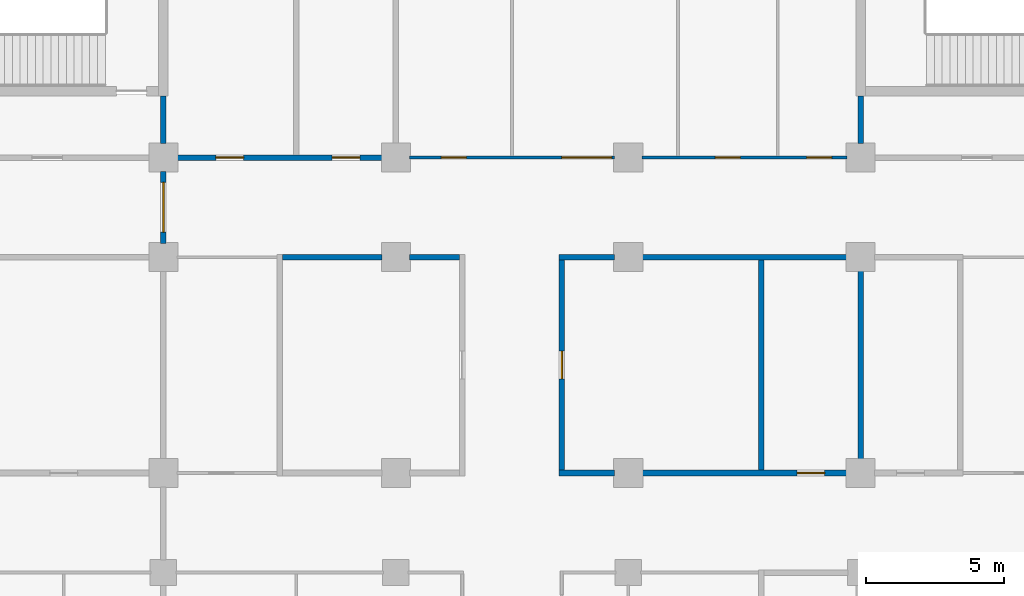
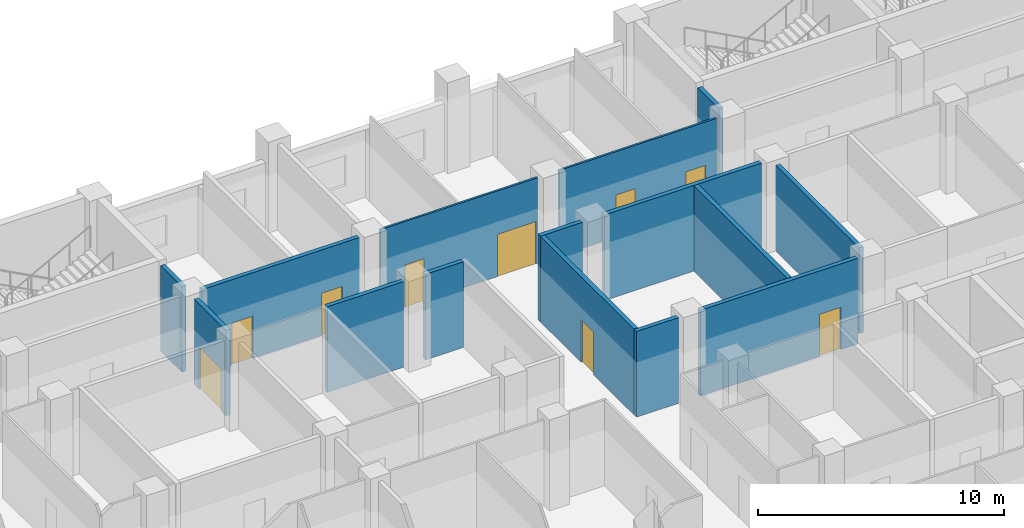
# One storey, part 75 of 136: 15 walls, 9 doors, 9 openings.
"""IFC4 building model written with IfcOpenShell, lengths in metres."""

from ifc_helpers import new_model, si_unit, direction, frame, frame_2d, origin, place, context, subcontext, project, spatial, rectangle, extrude, material, layer, layer_set, type_object, element, fill, save


model = new_model("IFC4")

# Units and contexts
model_context = context("Model", 3, precision=1e-05, world=origin(), true_north=direction((0.0, 1.0)))
body_context = subcontext(model_context, "Body", "Model", "MODEL_VIEW")
ifc_project = project(units=[si_unit("LENGTHUNIT", "METRE"), si_unit("AREAUNIT", "SQUARE_METRE"), si_unit("VOLUMEUNIT", "CUBIC_METRE"), si_unit("PLANEANGLEUNIT", "RADIAN"), si_unit("MASSUNIT", "GRAM", prefix="KILO")], contexts=[model_context])

# Site, building, storey
site_placement = place(None, origin())
site = spatial("IfcSite", under=ifc_project, at=site_placement, CompositionType="ELEMENT")
building_placement = place(site_placement, origin())
building = spatial("IfcBuilding", under=site, at=building_placement, Name="Bougainvillea Quay General Hospital", CompositionType="ELEMENT")
storey_placement = place(building_placement, frame((0.0, 0.0, 5.39990234375)))
storey = spatial("IfcBuildingStorey", under=building, at=storey_placement, Name="L01", CompositionType="ELEMENT", Elevation=5.39990234375)

# Wall, openings, doors
ifc_material_1 = material(Name="Gypsum board partition on steel studs", Category="steel")
ifc_layer_1 = layer(ifc_material_1, 0.10009765625)
ifc_layer_set_1 = layer_set([ifc_layer_1], Name="Gypsum board partition on steel studs")
wall_type_1 = type_object("IfcWallType", Name="Partition 100 Gypsum board partition", PredefinedType="PARTITIONING", material=ifc_layer_set_1)
wall_1_placement = place(storey_placement, frame((133.89990234375, 151.800048828125, 0.0), z_axis=(0.0, 0.0, 1.0), x_axis=(-1.0, 0.0, 0.0)))
wall_1 = element("IfcWall", 1, at=wall_1_placement, inside=storey, type_object=wall_type_1, Name="Partition 100 mm", PredefinedType="PARTITIONING", context=body_context, shape_type="SweptSolid", body=[
    extrude(rectangle(XDim=7.39990234375, YDim=0.10009765625, at=frame_2d((3.699951171875, 0.0))), origin(), (0.0, 0.0, 1.0), 4.25),
])
opening_1_placement = place(wall_1_placement, frame((3.85009765625, 0.0, 0.0)))
opening_1 = element("IfcOpeningElement", 2, at=opening_1_placement, cuts=wall_1, Name="Opening L01.203", PredefinedType="OPENING", context=body_context, shape_type="SweptSolid", body=[
    extrude(rectangle(XDim=0.89990234375, YDim=2.10009765625, at=frame_2d((0.449951171875, 1.050048828125))), frame((0.0, 0.06005859375, 0.0), z_axis=(0.0, -1.0, 0.0), x_axis=(1.0, 0.0, 0.0)), (0.0, 0.0, 1.0), 0.1201171875),
])
opening_2_placement = place(wall_1_placement, frame((0.550048828125, 0.0, 0.0)))
opening_2 = element("IfcOpeningElement", 3, at=opening_2_placement, cuts=wall_1, Name="Opening L01.204", PredefinedType="OPENING", context=body_context, shape_type="SweptSolid", body=[
    extrude(rectangle(XDim=0.89990234375, YDim=2.10009765625, at=frame_2d((0.449951171875, 1.050048828125))), frame((0.0, 0.06005859375, 0.0), z_axis=(0.0, -1.0, 0.0), x_axis=(1.0, 0.0, 0.0)), (0.0, 0.0, 1.0), 0.1201171875),
])
ifc_material_2 = material(Name="Solid-core timber door leaf in steel frame", Category="steel")
door_type_1 = type_object("IfcDoorType", Name="Single leaf door 900x2100", OperationType="NOTDEFINED", PredefinedType="DOOR", material=ifc_material_2)
door_1_placement = place(opening_1_placement, frame((0.89990234375, 0.0, 0.0), z_axis=(0.0, 0.0, 1.0), x_axis=(-1.0, 0.0, 0.0)))
door_1 = element("IfcDoor", 4, at=door_1_placement, inside=storey, type_object=door_type_1, Name="DT07 L01.203", OperationType="SINGLE_SWING_LEFT", OverallHeight=2.10009765625, OverallWidth=0.89990234375, PredefinedType="DOOR", context=body_context, shape_type="SweptSolid", body=[
    extrude(rectangle(XDim=0.89990234375, YDim=2.10009765625, at=frame_2d((0.449951171875, 1.050048828125))), frame((0.0, 0.02490234375, 0.0), z_axis=(0.0, -1.0, 0.0), x_axis=(1.0, 0.0, 0.0)), (0.0, 0.0, 1.0), 0.050048828125),
])
fill(opening_1, door_1)
door_2_placement = place(opening_2_placement, frame((0.89990234375, 0.0, 0.0), z_axis=(0.0, 0.0, 1.0), x_axis=(-1.0, 0.0, 0.0)))
door_2 = element("IfcDoor", 5, at=door_2_placement, inside=storey, type_object=door_type_1, Name="DT07 L01.204", OperationType="SINGLE_SWING_RIGHT", OverallHeight=2.10009765625, OverallWidth=0.89990234375, PredefinedType="DOOR", context=body_context, shape_type="SweptSolid", body=[
    extrude(rectangle(XDim=0.89990234375, YDim=2.10009765625, at=frame_2d((0.449951171875, 1.050048828125))), frame((0.0, 0.02490234375, 0.0), z_axis=(0.0, -1.0, 0.0), x_axis=(1.0, 0.0, 0.0)), (0.0, 0.0, 1.0), 0.050048828125),
])
fill(opening_2, door_2)

wall_2_placement = place(storey_placement, frame((125.5, 151.800048828125, 0.0), z_axis=(0.0, 0.0, 1.0), x_axis=(-1.0, 0.0, 0.0)))
wall_2 = element("IfcWall", 6, at=wall_2_placement, inside=storey, type_object=wall_type_1, Name="Partition 100 mm", PredefinedType="PARTITIONING", context=body_context, shape_type="SweptSolid", body=[
    extrude(rectangle(XDim=7.39990234375, YDim=0.10009765625, at=frame_2d((3.699951171875, 0.0))), origin(), (0.0, 0.0, 1.0), 4.25),
])
opening_3_placement = place(wall_2_placement, frame((5.35009765625, 0.0, 0.0)))
opening_3 = element("IfcOpeningElement", 7, at=opening_3_placement, cuts=wall_2, Name="Opening L01.201", PredefinedType="OPENING", context=body_context, shape_type="SweptSolid", body=[
    extrude(rectangle(XDim=0.89990234375, YDim=2.10009765625, at=frame_2d((0.449951171875, 1.050048828125))), frame((0.0, 0.06005859375, 0.0), z_axis=(0.0, -1.0, 0.0), x_axis=(1.0, 0.0, 0.0)), (0.0, 0.0, 1.0), 0.1201171875),
])
opening_4_placement = place(wall_2_placement, frame((0.10009765625, 0.0, 0.0)))
opening_4 = element("IfcOpeningElement", 8, at=opening_4_placement, cuts=wall_2, Name="Opening L01.202", PredefinedType="OPENING", context=body_context, shape_type="SweptSolid", body=[
    extrude(rectangle(XDim=1.800048828125, YDim=2.10009765625, at=frame_2d((0.89990234375, 1.050048828125))), frame((0.0, 0.06005859375, 0.0), z_axis=(0.0, -1.0, 0.0), x_axis=(1.0, 0.0, 0.0)), (0.0, 0.0, 1.0), 0.1201171875),
])
ifc_material_3 = material(Name="Solid-core timber door leaves in steel frame", Category="steel")
door_type_2 = type_object("IfcDoorType", Name="Double leaf door 1800x2100", OperationType="DOUBLE_DOOR_SINGLE_SWING", PredefinedType="DOOR", material=ifc_material_3)
door_3_placement = place(opening_4_placement, frame((1.800048828125, 0.0, 0.0), z_axis=(0.0, 0.0, 1.0), x_axis=(-1.0, 0.0, 0.0)))
door_3 = element("IfcDoor", 9, at=door_3_placement, inside=storey, type_object=door_type_2, Name="DT08 L01.202", OperationType="DOUBLE_DOOR_SINGLE_SWING", OverallHeight=2.10009765625, OverallWidth=1.800048828125, PredefinedType="DOOR", context=body_context, shape_type="SweptSolid", body=[
    extrude(rectangle(XDim=1.800048828125, YDim=2.10009765625, at=frame_2d((0.89990234375, 1.050048828125))), frame((0.0, 0.02490234375, 0.0), z_axis=(0.0, -1.0, 0.0), x_axis=(1.0, 0.0, 0.0)), (0.0, 0.0, 1.0), 0.050048828125),
])
fill(opening_4, door_3)
door_4_placement = place(opening_3_placement, frame((0.89990234375, 0.0, 0.0), z_axis=(0.0, 0.0, 1.0), x_axis=(-1.0, 0.0, 0.0)))
door_4 = element("IfcDoor", 10, at=door_4_placement, inside=storey, type_object=door_type_1, Name="DT07 L01.201", OperationType="SINGLE_SWING_LEFT", OverallHeight=2.10009765625, OverallWidth=0.89990234375, PredefinedType="DOOR", context=body_context, shape_type="SweptSolid", body=[
    extrude(rectangle(XDim=0.89990234375, YDim=2.10009765625, at=frame_2d((0.449951171875, 1.050048828125))), frame((0.0, 0.02490234375, 0.0), z_axis=(0.0, -1.0, 0.0), x_axis=(1.0, 0.0, 0.0)), (0.0, 0.0, 1.0), 0.050048828125),
])
fill(opening_3, door_4)

# Wall
ifc_material_4 = material(Name="Fire-rated autoclaved aerated block wall, plastered")
ifc_layer_2 = layer(ifc_material_4, 0.199951171875)
ifc_layer_set_2 = layer_set([ifc_layer_2], Name="Fire-rated autoclaved aerated block wall, plastered")
wall_type_2 = type_object("IfcWallType", Name="Partition 200 Fire-rated autoclaved aerated block wall EI 120", PredefinedType="SOLIDWALL", material=ifc_layer_set_2)
wall_3_placement = place(storey_placement, frame((109.199951171875, 154.02490234375, 0.0), z_axis=(0.0, 0.0, 1.0), x_axis=(0.0, -1.0, 0.0)))
element("IfcWall", 11, at=wall_3_placement, inside=storey, type_object=wall_type_2, Name="Partition 200 mm EI 120", PredefinedType="SOLIDWALL", context=body_context, shape_type="SweptSolid", body=[
    extrude(rectangle(XDim=1.724853515625, YDim=0.199951171875, at=frame_2d((0.8623046875, 0.0))), origin(), (0.0, 0.0, 1.0), 4.25),
])

# Wall, opening, door
wall_4_placement = place(storey_placement, frame((109.199951171875, 151.300048828125, 0.0), z_axis=(0.0, 0.0, 1.0), x_axis=(0.0, -1.0, 0.0)))
wall_4 = element("IfcWall", 12, at=wall_4_placement, inside=storey, type_object=wall_type_2, Name="Partition 200 mm EI 120", PredefinedType="SOLIDWALL", context=body_context, shape_type="SweptSolid", body=[
    extrude(rectangle(XDim=2.60009765625, YDim=0.199951171875, at=frame_2d((1.300048828125, 0.0))), origin(), (0.0, 0.0, 1.0), 4.25),
])
opening_5_placement = place(wall_4_placement, frame((0.39990234375, 0.0, 0.0)))
opening_5 = element("IfcOpeningElement", 13, at=opening_5_placement, cuts=wall_4, Name="Opening L01.016", PredefinedType="OPENING", context=body_context, shape_type="SweptSolid", body=[
    extrude(rectangle(XDim=1.800048828125, YDim=2.10009765625, at=frame_2d((0.89990234375, 1.050048828125))), frame((0.0, 0.10986328125, 0.0), z_axis=(0.0, -1.0, 0.0), x_axis=(1.0, 0.0, 0.0)), (0.0, 0.0, 1.0), 0.219970703125),
])
ifc_material_5 = material(Name="Steel fire door leaves in steel frame", Category="steel")
door_type_3 = type_object("IfcDoorType", Name="Steel double leaf door 1800x2100 FD90", OperationType="DOUBLE_DOOR_SINGLE_SWING", PredefinedType="DOOR", material=ifc_material_5)
door_5_placement = place(opening_5_placement, frame((1.800048828125, 0.0, 0.0), z_axis=(0.0, 0.0, 1.0), x_axis=(-1.0, 0.0, 0.0)))
door_5 = element("IfcDoor", 14, at=door_5_placement, inside=storey, type_object=door_type_3, Name="DT03 L01.016", OperationType="DOUBLE_DOOR_SINGLE_SWING", OverallHeight=2.10009765625, OverallWidth=1.800048828125, PredefinedType="DOOR", context=body_context, shape_type="SweptSolid", body=[
    extrude(rectangle(XDim=1.800048828125, YDim=2.10009765625, at=frame_2d((0.89990234375, 1.050048828125))), frame((0.0, 0.02490234375, 0.0), z_axis=(0.0, -1.0, 0.0), x_axis=(1.0, 0.0, 0.0)), (0.0, 0.0, 1.0), 0.050048828125),
])
fill(opening_5, door_5)

# Wall
wall_5_placement = place(storey_placement, frame((134.39990234375, 152.300048828125, 0.0), z_axis=(0.0, 0.0, 1.0), x_axis=(0.0, 1.0, 0.0)))
element("IfcWall", 15, at=wall_5_placement, inside=storey, type_object=wall_type_2, Name="Partition 200 mm EI 120", PredefinedType="SOLIDWALL", context=body_context, shape_type="SweptSolid", body=[
    extrude(rectangle(XDim=1.724853515625, YDim=0.199951171875, at=frame_2d((0.8623046875, 0.0))), origin(), (0.0, 0.0, 1.0), 4.25),
])

# Wall, opening, door
ifc_layer_3 = layer(ifc_material_4, 0.199951171875)
ifc_layer_set_3 = layer_set([ifc_layer_3], Name="Fire-rated autoclaved aerated block wall, plastered")
wall_type_3 = type_object("IfcWallType", Name="Partition 200 Fire-rated autoclaved aerated block wall EI 60", PredefinedType="SOLIDWALL", material=ifc_layer_set_3)
wall_6_placement = place(storey_placement, frame((133.89990234375, 140.39990234375, 0.0), z_axis=(0.0, 0.0, 1.0), x_axis=(-1.0, 0.0, 0.0)))
wall_6 = element("IfcWall", 16, at=wall_6_placement, inside=storey, type_object=wall_type_3, Name="Partition 200 mm EI 60", PredefinedType="SOLIDWALL", context=body_context, shape_type="SweptSolid", body=[
    extrude(rectangle(XDim=7.39990234375, YDim=0.199951171875, at=frame_2d((3.699951171875, 0.0))), origin(), (0.0, 0.0, 1.0), 4.25),
])
opening_6_placement = place(wall_6_placement, frame((0.800048828125, 0.0, 0.0)))
opening_6 = element("IfcOpeningElement", 17, at=opening_6_placement, cuts=wall_6, Name="Opening L01.206", PredefinedType="OPENING", context=body_context, shape_type="SweptSolid", body=[
    extrude(rectangle(XDim=1.0, YDim=2.10009765625, at=frame_2d((0.5, 1.050048828125))), frame((0.0, 0.10986328125, 0.0), z_axis=(0.0, -1.0, 0.0), x_axis=(1.0, 0.0, 0.0)), (0.0, 0.0, 1.0), 0.219970703125),
])
ifc_material_6 = material(Name="Steel fire door leaf in steel frame", Category="steel")
door_type_4 = type_object("IfcDoorType", Name="Steel single leaf door 1000x2100 FD60", OperationType="NOTDEFINED", PredefinedType="DOOR", material=ifc_material_6)
door_6_placement = place(opening_6_placement, frame((1.0, 0.0, 0.0), z_axis=(0.0, 0.0, 1.0), x_axis=(-1.0, 0.0, 0.0)))
door_6 = element("IfcDoor", 18, at=door_6_placement, inside=storey, type_object=door_type_4, Name="DT10 L01.206", OperationType="SINGLE_SWING_RIGHT", OverallHeight=2.10009765625, OverallWidth=1.0, PredefinedType="DOOR", context=body_context, shape_type="SweptSolid", body=[
    extrude(rectangle(XDim=1.0, YDim=2.10009765625, at=frame_2d((0.5, 1.050048828125))), frame((0.0, 0.02490234375, 0.0), z_axis=(0.0, -1.0, 0.0), x_axis=(1.0, 0.0, 0.0)), (0.0, 0.0, 1.0), 0.050048828125),
])
fill(opening_6, door_6)

# Walls
wall_7_placement = place(storey_placement, frame((125.5, 140.39990234375, 0.0), z_axis=(0.0, 0.0, 1.0), x_axis=(-1.0, 0.0, 0.0)))
element("IfcWall", 19, at=wall_7_placement, inside=storey, type_object=wall_type_3, Name="Partition 200 mm EI 60", PredefinedType="SOLIDWALL", context=body_context, shape_type="SweptSolid", body=[
    extrude(rectangle(XDim=2.0, YDim=0.199951171875, at=frame_2d((1.0, 0.0))), origin(), (0.0, 0.0, 1.0), 4.25),
])
wall_8_placement = place(storey_placement, frame((133.89990234375, 148.199951171875, 0.0), z_axis=(0.0, 0.0, 1.0), x_axis=(-1.0, 0.0, 0.0)))
element("IfcWall", 20, at=wall_8_placement, inside=storey, type_object=wall_type_3, Name="Partition 200 mm EI 60", PredefinedType="SOLIDWALL", context=body_context, shape_type="SweptSolid", body=[
    extrude(rectangle(XDim=7.39990234375, YDim=0.199951171875, at=frame_2d((3.699951171875, 0.0))), origin(), (0.0, 0.0, 1.0), 4.25),
])
wall_9_placement = place(storey_placement, frame((125.5, 148.199951171875, 0.0), z_axis=(0.0, 0.0, 1.0), x_axis=(-1.0, 0.0, 0.0)))
element("IfcWall", 21, at=wall_9_placement, inside=storey, type_object=wall_type_3, Name="Partition 200 mm EI 60", PredefinedType="SOLIDWALL", context=body_context, shape_type="SweptSolid", body=[
    extrude(rectangle(XDim=2.0, YDim=0.199951171875, at=frame_2d((1.0, 0.0))), origin(), (0.0, 0.0, 1.0), 4.25),
])

# Wall, openings, doors
wall_10_placement = place(storey_placement, frame((109.699951171875, 151.800048828125, 0.0), z_axis=(0.0, 0.0, 1.0), x_axis=(1.0, 0.0, 0.0)))
wall_10 = element("IfcWall", 22, at=wall_10_placement, inside=storey, type_object=wall_type_3, Name="Partition 200 mm EI 60", PredefinedType="SOLIDWALL", context=body_context, shape_type="SweptSolid", body=[
    extrude(rectangle(XDim=7.400146484375, YDim=0.199951171875, at=frame_2d((3.7001953125, 0.0))), origin(), (0.0, 0.0, 1.0), 4.25),
])
opening_7_placement = place(wall_10_placement, frame((1.39990234375, 0.0, 0.0)))
opening_7 = element("IfcOpeningElement", 23, at=opening_7_placement, cuts=wall_10, Name="Opening L01.199", PredefinedType="OPENING", context=body_context, shape_type="SweptSolid", body=[
    extrude(rectangle(XDim=1.0, YDim=2.10009765625, at=frame_2d((0.5, 1.050048828125))), frame((0.0, 0.10986328125, 0.0), z_axis=(0.0, -1.0, 0.0), x_axis=(1.0, 0.0, 0.0)), (0.0, 0.0, 1.0), 0.219970703125),
])
opening_8_placement = place(wall_10_placement, frame((5.60009765625, 0.0, 0.0)))
opening_8 = element("IfcOpeningElement", 24, at=opening_8_placement, cuts=wall_10, Name="Opening L01.200", PredefinedType="OPENING", context=body_context, shape_type="SweptSolid", body=[
    extrude(rectangle(XDim=1.0, YDim=2.10009765625, at=frame_2d((0.5, 1.050048828125))), frame((0.0, 0.10986328125, 0.0), z_axis=(0.0, -1.0, 0.0), x_axis=(1.0, 0.0, 0.0)), (0.0, 0.0, 1.0), 0.219970703125),
])
door_7_placement = place(opening_7_placement, origin())
door_7 = element("IfcDoor", 25, at=door_7_placement, inside=storey, type_object=door_type_4, Name="DT10 L01.199", OperationType="SINGLE_SWING_LEFT", OverallHeight=2.10009765625, OverallWidth=1.0, PredefinedType="DOOR", context=body_context, shape_type="SweptSolid", body=[
    extrude(rectangle(XDim=1.0, YDim=2.10009765625, at=frame_2d((0.5, 1.050048828125))), frame((0.0, 0.02490234375, 0.0), z_axis=(0.0, -1.0, 0.0), x_axis=(1.0, 0.0, 0.0)), (0.0, 0.0, 1.0), 0.050048828125),
])
fill(opening_7, door_7)
door_8_placement = place(opening_8_placement, origin())
door_8 = element("IfcDoor", 26, at=door_8_placement, inside=storey, type_object=door_type_4, Name="DT10 L01.200", OperationType="SINGLE_SWING_RIGHT", OverallHeight=2.10009765625, OverallWidth=1.0, PredefinedType="DOOR", context=body_context, shape_type="SweptSolid", body=[
    extrude(rectangle(XDim=1.0, YDim=2.10009765625, at=frame_2d((0.5, 1.050048828125))), frame((0.0, 0.02490234375, 0.0), z_axis=(0.0, -1.0, 0.0), x_axis=(1.0, 0.0, 0.0)), (0.0, 0.0, 1.0), 0.050048828125),
])
fill(opening_8, door_8)

# Wall, opening, door
wall_11_placement = place(storey_placement, frame((123.60009765625, 140.5, 0.0), z_axis=(0.0, 0.0, 1.0), x_axis=(0.0, 1.0, 0.0)))
wall_11 = element("IfcWall", 27, at=wall_11_placement, inside=storey, type_object=wall_type_3, Name="Partition 200 mm EI 60", PredefinedType="SOLIDWALL", context=body_context, shape_type="SweptSolid", body=[
    extrude(rectangle(XDim=7.60009765625, YDim=0.199951171875, at=frame_2d((3.800048828125, 0.0))), origin(), (0.0, 0.0, 1.0), 4.25),
])
opening_9_placement = place(wall_11_placement, frame((3.300048828125, 0.0, 0.0)))
opening_9 = element("IfcOpeningElement", 28, at=opening_9_placement, cuts=wall_11, Name="Opening L01.205", PredefinedType="OPENING", context=body_context, shape_type="SweptSolid", body=[
    extrude(rectangle(XDim=1.0, YDim=2.10009765625, at=frame_2d((0.5, 1.050048828125))), frame((0.0, 0.10986328125, 0.0), z_axis=(0.0, -1.0, 0.0), x_axis=(1.0, 0.0, 0.0)), (0.0, 0.0, 1.0), 0.219970703125),
])
door_9_placement = place(opening_9_placement, frame((1.0, 0.0, 0.0), z_axis=(0.0, 0.0, 1.0), x_axis=(-1.0, 0.0, 0.0)))
door_9 = element("IfcDoor", 29, at=door_9_placement, inside=storey, type_object=door_type_4, Name="DT10 L01.205", OperationType="SINGLE_SWING_RIGHT", OverallHeight=2.10009765625, OverallWidth=1.0, PredefinedType="DOOR", context=body_context, shape_type="SweptSolid", body=[
    extrude(rectangle(XDim=1.0, YDim=2.10009765625, at=frame_2d((0.5, 1.050048828125))), frame((0.0, 0.02490234375, 0.0), z_axis=(0.0, -1.0, 0.0), x_axis=(1.0, 0.0, 0.0)), (0.0, 0.0, 1.0), 0.050048828125),
])
fill(opening_9, door_9)

# Walls
wall_12_placement = place(storey_placement, frame((130.800048828125, 140.5, 0.0), z_axis=(0.0, 0.0, 1.0), x_axis=(0.0, 1.0, 0.0)))
element("IfcWall", 30, at=wall_12_placement, inside=storey, type_object=wall_type_3, Name="Partition 200 mm EI 60", PredefinedType="SOLIDWALL", context=body_context, shape_type="SweptSolid", body=[
    extrude(rectangle(XDim=7.60009765625, YDim=0.199951171875, at=frame_2d((3.800048828125, 0.0))), origin(), (0.0, 0.0, 1.0), 4.25),
])
wall_13_placement = place(storey_placement, frame((134.39990234375, 140.89990234375, 0.0), z_axis=(0.0, 0.0, 1.0), x_axis=(0.0, 1.0, 0.0)))
element("IfcWall", 31, at=wall_13_placement, inside=storey, type_object=wall_type_3, Name="Partition 200 mm EI 60", PredefinedType="SOLIDWALL", context=body_context, shape_type="SweptSolid", body=[
    extrude(rectangle(XDim=6.800048828125, YDim=0.199951171875, at=frame_2d((3.39990234375, 0.0))), origin(), (0.0, 0.0, 1.0), 4.25),
])
wall_14_placement = place(storey_placement, frame((113.5, 148.199951171875, 0.0), z_axis=(0.0, 0.0, 1.0), x_axis=(1.0, 0.0, 0.0)))
element("IfcWall", 32, at=wall_14_placement, inside=storey, type_object=wall_type_3, Name="Partition 200 mm EI 60", PredefinedType="SOLIDWALL", context=body_context, shape_type="SweptSolid", body=[
    extrude(rectangle(XDim=3.60009765625, YDim=0.199951171875, at=frame_2d((1.800048828125, 0.0))), origin(), (0.0, 0.0, 1.0), 4.25),
])
wall_15_placement = place(storey_placement, frame((118.10009765625, 148.199951171875, 0.0), z_axis=(0.0, 0.0, 1.0), x_axis=(1.0, 0.0, 0.0)))
element("IfcWall", 33, at=wall_15_placement, inside=storey, type_object=wall_type_3, Name="Partition 200 mm EI 60", PredefinedType="SOLIDWALL", context=body_context, shape_type="SweptSolid", body=[
    extrude(rectangle(XDim=1.7998046875, YDim=0.199951171875, at=frame_2d((0.89990234375, 0.0))), origin(), (0.0, 0.0, 1.0), 4.25),
])

save(model, "model.ifc")
